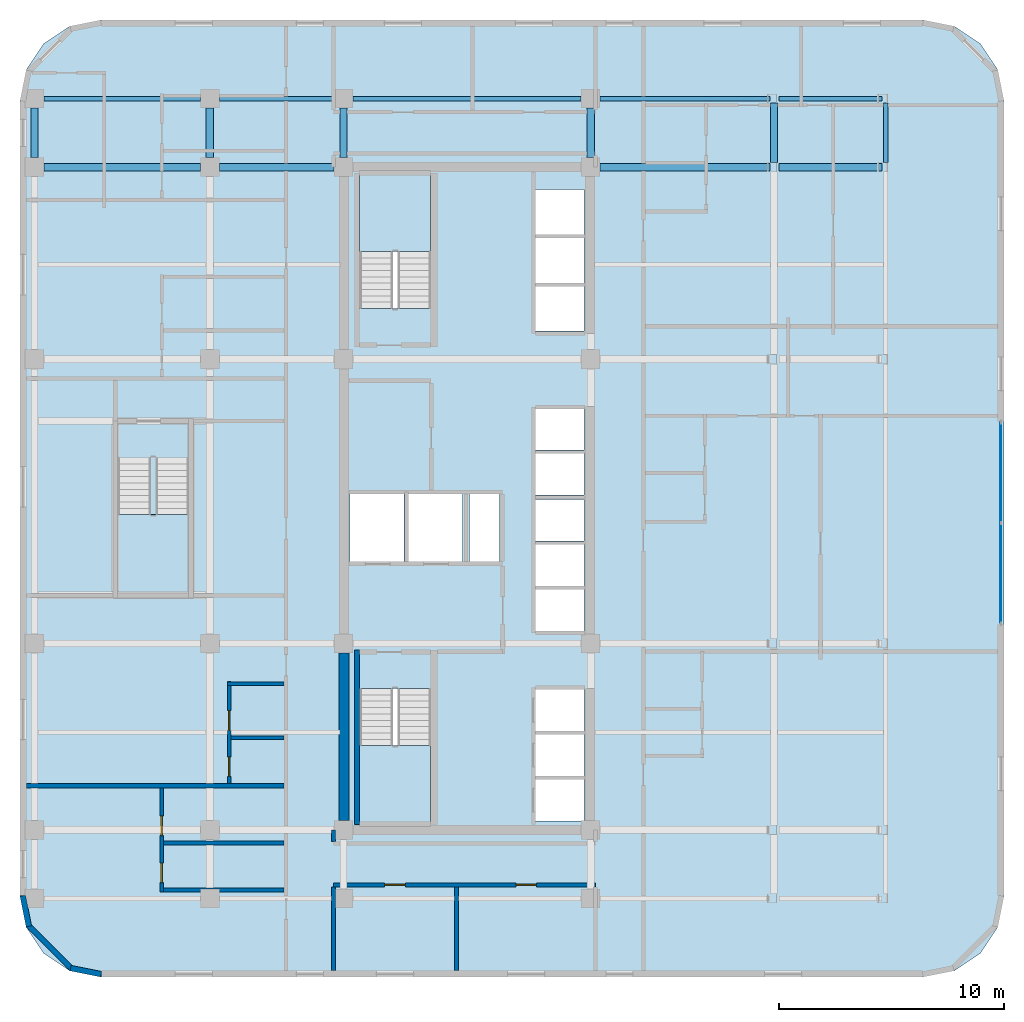
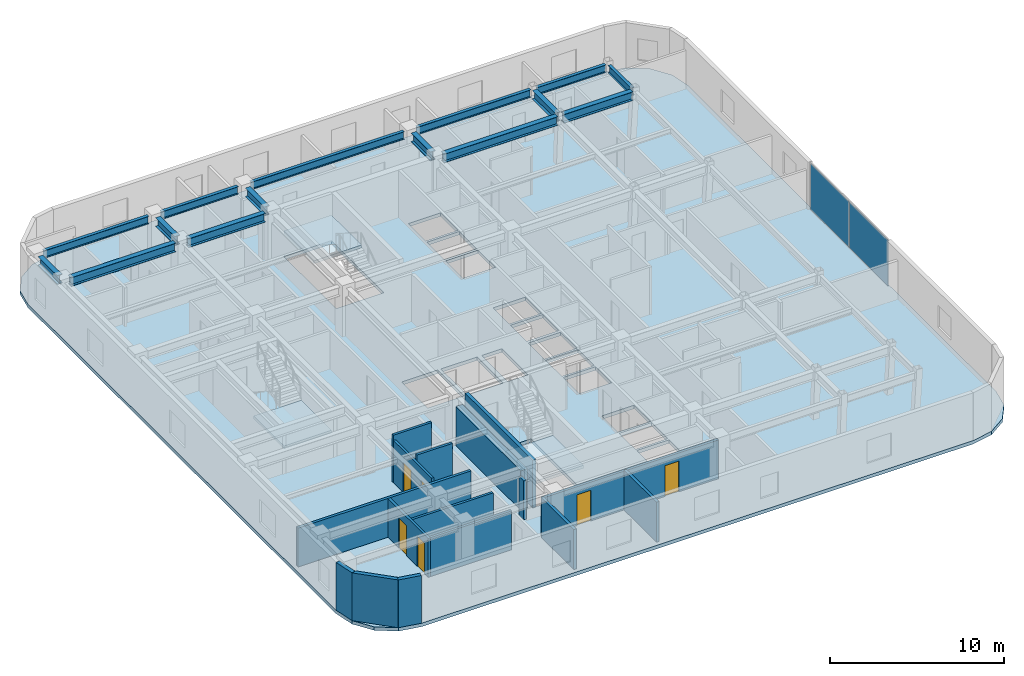
# One storey, part 3 of 9: 16 walls, 15 beams, 6 doors, 4 slabs, 2 plates, 6 openings, 4 elements without a shape of their own.
"""IFC4 building model written with IfcOpenShell, lengths in metres."""

from ifc_helpers import new_model, si_unit, direction, frame, frame_2d, origin, origin_2d, place, context, subcontext, project, spatial, polyline, rectangle, i_section, outline, extrude, material, layer, layer_set, material_profile, profile_set, type_object, element, fill, aggregate, save


model = new_model("IFC4")

# Units and contexts
model_context = context("Model", 3, precision=1e-05, world=origin(), true_north=direction((0.0, 1.0)))
body_context = subcontext(model_context, "Body", "Model", "MODEL_VIEW")
ifc_project = project(units=[si_unit("LENGTHUNIT", "METRE"), si_unit("AREAUNIT", "SQUARE_METRE"), si_unit("VOLUMEUNIT", "CUBIC_METRE"), si_unit("PLANEANGLEUNIT", "RADIAN"), si_unit("MASSUNIT", "GRAM", prefix="KILO")], contexts=[model_context])

# Site, building, storey
site_placement = place(None, origin())
site = spatial("IfcSite", under=ifc_project, at=site_placement, CompositionType="ELEMENT")
building_placement = place(site_placement, origin())
building = spatial("IfcBuilding", under=site, at=building_placement, Name="Ochreholt Gables", CompositionType="ELEMENT")
storey_placement = place(building_placement, frame((0.0, 0.0, 94.800048828125)))
storey = spatial("IfcBuildingStorey", under=building, at=storey_placement, Name="L24", CompositionType="ELEMENT", Elevation=94.800048828125)

# Beams
ifc_material_1 = material(Name="Steel CSA G40.21 350W", Category="steel")
ifc_material_profile_1 = material_profile(ifc_material_1, i_section(OverallWidth=0.323974609375, OverallDepth=0.611083984375, WebThickness=0.0126953125, FlangeThickness=0.01904296875, at=origin_2d()), Name="W610X155")
ifc_profile_set_1 = profile_set([ifc_material_profile_1], Name="Steel CSA G40.21 350W")
beam_type_1 = type_object("IfcBeamType", Name="BM-G-W610A", PredefinedType="BEAM", material=ifc_profile_set_1)
beam_1_placement = place(storey_placement, frame((10.87451171875, 38.75, 3.04443359375), z_axis=(1.0, 0.0, 0.0), x_axis=(0.0, 1.0, 0.0)))
element("IfcBeam", 1, at=beam_1_placement, inside=storey, type_object=beam_type_1, Name="L24 Beam TBG-L24-W2W3-Y5", PredefinedType="BEAM", context=body_context, shape_type="SweptSolid", body=[
    extrude(i_section(OverallWidth=0.323974609375, OverallDepth=0.611083984375, WebThickness=0.0126953125, FlangeThickness=0.01904296875, at=origin_2d()), origin(), (0.0, 0.0, 1.0), 6.950927734375),
])
beam_2_placement = place(storey_placement, frame((18.674560546875, 38.75, 3.04443359375), z_axis=(1.0, 0.0, 0.0), x_axis=(0.0, 1.0, 0.0)))
element("IfcBeam", 2, at=beam_2_placement, inside=storey, type_object=beam_type_1, Name="L24 Beam TBG-L24-W3C1-Y5", PredefinedType="BEAM", context=body_context, shape_type="SweptSolid", body=[
    extrude(i_section(OverallWidth=0.323974609375, OverallDepth=0.611083984375, WebThickness=0.0126953125, FlangeThickness=0.01904296875, at=origin_2d()), origin(), (0.0, 0.0, 1.0), 5.100830078125),
])
beam_3_placement = place(storey_placement, frame((35.62451171875, 38.75, 3.04443359375), z_axis=(1.0, 0.0, 0.0), x_axis=(0.0, 1.0, 0.0)))
element("IfcBeam", 3, at=beam_3_placement, inside=storey, type_object=beam_type_1, Name="L24 Beam TBG-L24-C2EM-Y5", PredefinedType="BEAM", context=body_context, shape_type="SweptSolid", body=[
    extrude(i_section(OverallWidth=0.323974609375, OverallDepth=0.611083984375, WebThickness=0.0126953125, FlangeThickness=0.01904296875, at=origin_2d()), origin(), (0.0, 0.0, 1.0), 7.552978515625),
])
beam_4_placement = place(storey_placement, frame((43.58251953125, 38.75, 3.04443359375), z_axis=(1.0, 0.0, 0.0), x_axis=(0.0, 1.0, 0.0)))
element("IfcBeam", 4, at=beam_4_placement, inside=storey, type_object=beam_type_1, Name="L24 Beam TBG-L24-EMEE-Y5", PredefinedType="BEAM", context=body_context, shape_type="SweptSolid", body=[
    extrude(i_section(OverallWidth=0.323974609375, OverallDepth=0.611083984375, WebThickness=0.0126953125, FlangeThickness=0.01904296875, at=origin_2d()), origin(), (0.0, 0.0, 1.0), 4.578857421875),
])
for number, where, z_axis, x_axis, name in (
    (5, (10.449951171875, 39.174560546875, 3.04443359375), (0.0, 1.0, 0.0), (-1.0, 0.0, 0.0), "L24 Beam TBN-L24-W2-Y5Y6"),
    (6, (18.25, 39.174560546875, 3.04443359375), (0.0, 1.0, 0.0), (-1.0, 0.0, 0.0), "L24 Beam TBN-L24-W3-Y5Y6"),
    (7, (24.199951171875, 39.174560546875, 3.04443359375), (0.0, 1.0, 0.0), (-1.0, 0.0, 0.0), "L24 Beam TBN-L24-C1-Y5Y6"),
    (8, (35.199951171875, 39.174560546875, 3.04443359375), (0.0, 1.0, 0.0), (-1.0, 0.0, 0.0), "L24 Beam TBN-L24-C2-Y5Y6"),
):
    element("IfcBeam", number, at=place(storey_placement, frame(where, z_axis=z_axis, x_axis=x_axis)), inside=storey, type_object=beam_type_1, Name=name, PredefinedType="BEAM", context=body_context, shape_type="SweptSolid", body=[
        extrude(i_section(OverallWidth=0.323974609375, OverallDepth=0.611083984375, WebThickness=0.0126953125, FlangeThickness=0.01904296875, at=origin_2d()), origin(), (0.0, 0.0, 1.0), 2.200927734375),
    ])
beam_5_placement = place(storey_placement, frame((43.362548828125, 38.95263671875, 3.04443359375), z_axis=(0.0, 1.0, 0.0), x_axis=(-1.0, 0.0, 0.0)))
element("IfcBeam", 9, at=beam_5_placement, inside=storey, type_object=beam_type_1, Name="L24 Beam TBN-L24-EM-Y5Y6", PredefinedType="BEAM", context=body_context, shape_type="SweptSolid", body=[
    extrude(i_section(OverallWidth=0.323974609375, OverallDepth=0.611083984375, WebThickness=0.0126953125, FlangeThickness=0.01904296875, at=origin_2d()), origin(), (0.0, 0.0, 1.0), 2.644775390625),
])
ifc_material_profile_2 = material_profile(ifc_material_1, i_section(OverallWidth=0.208984375, OverallDepth=0.532958984375, WebThickness=0.01025390625, FlangeThickness=0.015625, at=origin_2d()), Name="W530X92")
ifc_profile_set_2 = profile_set([ifc_material_profile_2], Name="Steel CSA G40.21 350W")
beam_type_2 = type_object("IfcBeamType", Name="BM-SP-W530B", PredefinedType="SPANDREL", material=ifc_profile_set_2)
beam_6_placement = place(storey_placement, frame((10.87451171875, 41.800048828125, 3.08349609375), z_axis=(1.0, 0.0, 0.0), x_axis=(0.0, 1.0, 0.0)))
element("IfcBeam", 10, at=beam_6_placement, inside=storey, type_object=beam_type_2, Name="L24 Beam TBG-L24-W2W3-Y6", PredefinedType="SPANDREL", context=body_context, shape_type="SweptSolid", body=[
    extrude(i_section(OverallWidth=0.208984375, OverallDepth=0.532958984375, WebThickness=0.01025390625, FlangeThickness=0.015625, at=origin_2d()), origin(), (0.0, 0.0, 1.0), 6.950927734375),
])
beam_7_placement = place(storey_placement, frame((18.674560546875, 41.800048828125, 3.08349609375), z_axis=(1.0, 0.0, 0.0), x_axis=(0.0, 1.0, 0.0)))
element("IfcBeam", 11, at=beam_7_placement, inside=storey, type_object=beam_type_2, Name="L24 Beam TBG-L24-W3C1-Y6", PredefinedType="SPANDREL", context=body_context, shape_type="SweptSolid", body=[
    extrude(i_section(OverallWidth=0.208984375, OverallDepth=0.532958984375, WebThickness=0.01025390625, FlangeThickness=0.015625, at=origin_2d()), origin(), (0.0, 0.0, 1.0), 5.100830078125),
])
beam_8_placement = place(storey_placement, frame((24.62451171875, 41.800048828125, 3.08349609375), z_axis=(1.0, 0.0, 0.0), x_axis=(0.0, 1.0, 0.0)))
element("IfcBeam", 12, at=beam_8_placement, inside=storey, type_object=beam_type_2, Name="L24 Beam TBG-L24-C1C2-Y6", PredefinedType="SPANDREL", context=body_context, shape_type="SweptSolid", body=[
    extrude(i_section(OverallWidth=0.208984375, OverallDepth=0.532958984375, WebThickness=0.01025390625, FlangeThickness=0.015625, at=origin_2d()), origin(), (0.0, 0.0, 1.0), 10.15087890625),
])
beam_9_placement = place(storey_placement, frame((35.62451171875, 41.800048828125, 3.08349609375), z_axis=(1.0, 0.0, 0.0), x_axis=(0.0, 1.0, 0.0)))
element("IfcBeam", 13, at=beam_9_placement, inside=storey, type_object=beam_type_2, Name="L24 Beam TBG-L24-C2EM-Y6", PredefinedType="SPANDREL", context=body_context, shape_type="SweptSolid", body=[
    extrude(i_section(OverallWidth=0.208984375, OverallDepth=0.532958984375, WebThickness=0.01025390625, FlangeThickness=0.015625, at=origin_2d()), origin(), (0.0, 0.0, 1.0), 7.552978515625),
])
beam_10_placement = place(storey_placement, frame((43.58251953125, 41.800048828125, 3.08349609375), z_axis=(1.0, 0.0, 0.0), x_axis=(0.0, 1.0, 0.0)))
element("IfcBeam", 14, at=beam_10_placement, inside=storey, type_object=beam_type_2, Name="L24 Beam TBG-L24-EMEE-Y6", PredefinedType="SPANDREL", context=body_context, shape_type="SweptSolid", body=[
    extrude(i_section(OverallWidth=0.208984375, OverallDepth=0.532958984375, WebThickness=0.01025390625, FlangeThickness=0.015625, at=origin_2d()), origin(), (0.0, 0.0, 1.0), 4.578857421875),
])
beam_11_placement = place(storey_placement, frame((48.3349609375, 38.95263671875, 3.08349609375), z_axis=(0.0, 1.0, 0.0), x_axis=(-1.0, 0.0, 0.0)))
element("IfcBeam", 15, at=beam_11_placement, inside=storey, type_object=beam_type_2, Name="L24 Beam TBN-L24-EE-Y5Y6", PredefinedType="SPANDREL", context=body_context, shape_type="SweptSolid", body=[
    extrude(i_section(OverallWidth=0.208984375, OverallDepth=0.532958984375, WebThickness=0.01025390625, FlangeThickness=0.015625, at=origin_2d()), origin(), (0.0, 0.0, 1.0), 2.644775390625),
])

# Curtain wall, plates
ifc_material_2 = material(Name="Unitised Aluminium and Triple Glazing", Category="aluminium")
ifc_layer_1 = layer(ifc_material_2, 0.18994140625, Name="Unitised Aluminium and Triple Glazing")
ifc_layer_set_1 = layer_set([ifc_layer_1], Name="Unitised Aluminium and Triple Glazing")
curtain_wall_type = type_object("IfcCurtainWallType", Name="CW-SYS3", PredefinedType="NOTDEFINED", material=ifc_layer_set_1)
curtain_wall_placement = place(storey_placement, origin())
curtain_wall = element("IfcCurtainWall", 16, at=curtain_wall_placement, inside=storey, type_object=curtain_wall_type, Name="L24 East Unitised Curtain Wall", PredefinedType="NOTDEFINED")
ifc_material_3 = material(Name="Triple Low-E Insulating Glass", Category="glass")
ifc_layer_2 = layer(ifc_material_3, 0.033935546875, Name="Triple Low-E Insulating Glass")
ifc_layer_set_2 = layer_set([ifc_layer_2], Name="Triple Low-E Insulating Glass")
plate_type = type_object("IfcPlateType", Name="CW-PNL-34", PredefinedType="CURTAIN_PANEL", material=ifc_layer_set_2)
plate_1_placement = place(storey_placement, frame((53.4599609375, 20.67333984375, 0.0751953125), z_axis=(0.0, 0.0, 1.0), x_axis=(0.0, 1.0, 0.0)))
plate_1 = element("IfcPlate", 17, at=plate_1_placement, type_object=plate_type, Name="CW-3 panel 1.1", PredefinedType="CURTAIN_PANEL", context=body_context, shape_type="SweptSolid", body=[
    extrude(rectangle(XDim=4.41650390625, YDim=0.033935546875, at=origin_2d()), origin(), (0.0, 0.0, 1.0), 3.199951171875),
])
plate_2_placement = place(storey_placement, frame((53.4599609375, 25.15478515625, 0.0751953125), z_axis=(0.0, 0.0, 1.0), x_axis=(0.0, 1.0, 0.0)))
plate_2 = element("IfcPlate", 18, at=plate_2_placement, type_object=plate_type, Name="CW-3 panel 2.1", PredefinedType="CURTAIN_PANEL", context=body_context, shape_type="SweptSolid", body=[
    extrude(rectangle(XDim=4.41650390625, YDim=0.033935546875, at=origin_2d()), origin(), (0.0, 0.0, 1.0), 3.199951171875),
])
aggregate(curtain_wall, [plate_1, plate_2])

# Stair, slab
ifc_material_4 = material(Name="Concrete 40 MPa", Category="concrete")
stair_type_1 = type_object("IfcStairType", Name="STAIR-CORE-ST-1", PredefinedType="HALF_TURN_STAIR", material=ifc_material_4)
stair_1_placement = place(storey_placement, origin())
stair_1 = element("IfcStair", 19, at=stair_1_placement, inside=storey, type_object=stair_type_1, Name="L24 Core Exit Stair 1", PredefinedType="HALF_TURN_STAIR")
ifc_layer_3 = layer(ifc_material_4, 0.199951171875, Name="Concrete 40 MPa")
ifc_layer_set_3 = layer_set([ifc_layer_3], Name="Concrete 40 MPa")
slab_type_1 = type_object("IfcSlabType", Name="LANDING-RC200", PredefinedType="LANDING", material=ifc_layer_set_3)
slab_1_placement = place(storey_placement, frame((0.0, 0.0, 1.599853515625)))
slab_1 = element("IfcSlab", 20, at=slab_1_placement, type_object=slab_type_1, Name="ST-1 landing 1", PredefinedType="LANDING", context=body_context, shape_type="SweptSolid", body=[
    extrude(outline(polyline([(24.919921875, 13.001953125), (24.919921875, 9.52001953125), (28.080078125, 9.52001953125), (28.080078125, 13.001953125), (24.919921875, 13.001953125)])), origin(), (0.0, 0.0, 1.0), 0.2001953125),
])
aggregate(stair_1, [slab_1])

stair_type_2 = type_object("IfcStairType", Name="STAIR-CORE-ST-2", PredefinedType="HALF_TURN_STAIR", material=ifc_material_4)
stair_2_placement = place(storey_placement, origin())
stair_2 = element("IfcStair", 21, at=stair_2_placement, inside=storey, type_object=stair_type_2, Name="L24 Core Exit Stair 2", PredefinedType="HALF_TURN_STAIR")
slab_2_placement = place(storey_placement, frame((0.0, 0.0, 1.599853515625)))
slab_2 = element("IfcSlab", 22, at=slab_2_placement, type_object=slab_type_1, Name="ST-2 landing 1", PredefinedType="LANDING", context=body_context, shape_type="SweptSolid", body=[
    extrude(outline(polyline([(28.080078125, 34.998046875), (28.080078125, 38.47998046875), (24.919921875, 38.47998046875), (24.919921875, 34.998046875), (28.080078125, 34.998046875)])), origin(), (0.0, 0.0, 1.0), 0.2001953125),
])
aggregate(stair_2, [slab_2])

stair_type_3 = type_object("IfcStairType", Name="STAIR-CORE-ST-C2", PredefinedType="HALF_TURN_STAIR", material=ifc_material_4)
stair_3_placement = place(storey_placement, origin())
stair_3 = element("IfcStair", 23, at=stair_3_placement, inside=storey, type_object=stair_type_3, Name="L24 Community Feature Stair ST-C2", PredefinedType="HALF_TURN_STAIR")
slab_3_placement = place(storey_placement, frame((0.0, 0.0, 1.599853515625)))
slab_3 = element("IfcSlab", 24, at=slab_3_placement, type_object=slab_type_1, Name="ST-C2 landing 1", PredefinedType="LANDING", context=body_context, shape_type="SweptSolid", body=[
    extrude(outline(polyline([(14.14990234375, 23.281982421875), (14.14990234375, 19.800048828125), (17.31005859375, 19.800048828125), (17.31005859375, 23.281982421875), (14.14990234375, 23.281982421875)])), origin(), (0.0, 0.0, 1.0), 0.2001953125),
])
aggregate(stair_3, [slab_3])

# Slab
ifc_layer_4 = layer(ifc_material_4, 0.239990234375, Name="Concrete 40 MPa")
ifc_layer_set_4 = layer_set([ifc_layer_4], Name="Concrete 40 MPa")
slab_type_2 = type_object("IfcSlabType", Name="SLAB-TWR-240", PredefinedType="FLOOR", material=ifc_layer_set_4)
slab_4_placement = place(storey_placement, frame((0.0, 0.0, -0.239990234375)))
element("IfcSlab", 25, at=slab_4_placement, inside=storey, type_object=slab_type_2, Name="L24 Structural Floor Slab", PredefinedType="FLOOR", context=body_context, shape_type="SweptSolid", body=[
    extrude(outline(polyline([(9.800048828125, 6.300048828125), (10.073974609375, 4.92236328125), (10.8544921875, 3.75439453125), (12.022216796875, 2.97412109375), (13.39990234375, 2.699951171875), (50.0, 2.699951171875), (51.377685546875, 2.97412109375), (52.545654296875, 3.75439453125), (53.325927734375, 4.92236328125), (53.60009765625, 6.300048828125), (53.60009765625, 41.699951171875), (53.325927734375, 43.07763671875), (52.545654296875, 44.24560546875), (51.377685546875, 45.02587890625), (50.0, 45.300048828125), (13.39990234375, 45.300048828125), (12.022216796875, 45.02587890625), (10.8544921875, 44.24560546875), (10.073974609375, 43.07763671875), (9.800048828125, 41.699951171875), (9.800048828125, 6.300048828125)]), holes=[polyline([(24.919921875, 15.539306640625), (24.919921875, 9.52001953125), (28.080078125, 9.52001953125), (28.080078125, 15.539306640625), (24.919921875, 15.539306640625)]), polyline([(28.080078125, 32.460693359375), (28.080078125, 38.47998046875), (24.919921875, 38.47998046875), (24.919921875, 32.460693359375), (28.080078125, 32.460693359375)]), polyline([(24.5, 21.199951171875), (26.89990234375, 21.199951171875), (26.89990234375, 24.199951171875), (24.5, 24.199951171875), (24.5, 21.199951171875)]), polyline([(27.10009765625, 21.199951171875), (29.5, 21.199951171875), (29.5, 24.199951171875), (27.10009765625, 24.199951171875), (27.10009765625, 21.199951171875)]), polyline([(32.75, 9.64990234375), (34.89990234375, 9.64990234375), (34.89990234375, 11.5), (32.75, 11.5), (32.75, 9.64990234375)]), polyline([(32.75, 11.64990234375), (34.89990234375, 11.64990234375), (34.89990234375, 13.5), (32.75, 13.5), (32.75, 11.64990234375)]), polyline([(32.75, 13.64990234375), (34.89990234375, 13.64990234375), (34.89990234375, 15.5), (32.75, 15.5), (32.75, 13.64990234375)]), polyline([(32.75, 18.10009765625), (34.89990234375, 18.10009765625), (34.89990234375, 19.949951171875), (32.75, 19.949951171875), (32.75, 18.10009765625)]), polyline([(32.75, 20.10009765625), (34.89990234375, 20.10009765625), (34.89990234375, 21.949951171875), (32.75, 21.949951171875), (32.75, 20.10009765625)]), polyline([(32.75, 22.10009765625), (34.89990234375, 22.10009765625), (34.89990234375, 23.949951171875), (32.75, 23.949951171875), (32.75, 22.10009765625)]), polyline([(32.75, 24.14990234375), (34.89990234375, 24.14990234375), (34.89990234375, 26.0), (32.75, 26.0), (32.75, 24.14990234375)]), polyline([(32.75, 26.14990234375), (34.89990234375, 26.14990234375), (34.89990234375, 28.0), (32.75, 28.0), (32.75, 26.14990234375)]), polyline([(32.75, 31.449951171875), (34.89990234375, 31.449951171875), (34.89990234375, 33.449951171875), (32.75, 33.449951171875), (32.75, 31.449951171875)]), polyline([(32.75, 33.60009765625), (34.89990234375, 33.60009765625), (34.89990234375, 35.60009765625), (32.75, 35.60009765625), (32.75, 33.60009765625)]), polyline([(32.75, 35.75), (34.89990234375, 35.75), (34.89990234375, 37.75), (32.75, 37.75), (32.75, 35.75)]), polyline([(29.800048828125, 21.199951171875), (31.14990234375, 21.199951171875), (31.14990234375, 24.199951171875), (29.800048828125, 24.199951171875), (29.800048828125, 21.199951171875)])]), origin(), (0.0, 0.0, 1.0), 0.239990234375),
])

# Walls
ifc_material_5 = material(Name="Concrete 60 MPa", Category="concrete")
ifc_layer_5 = layer(ifc_material_5, 0.449951171875, Name="Concrete 60 MPa")
ifc_layer_set_5 = layer_set([ifc_layer_5], Name="Concrete 60 MPa")
wall_type_1 = type_object("IfcWallType", Name="WALL-CSW-450", PredefinedType="SHEAR", material=ifc_layer_set_5)
wall_1_placement = place(storey_placement, frame((24.22509765625, 9.675048828125, 0.0), z_axis=(0.0, 0.0, 1.0), x_axis=(0.0, 1.0, 0.0)))
element("IfcWall", 26, at=wall_1_placement, inside=storey, type_object=wall_type_1, Name="L24 Core West Shear Wall WS", PredefinedType="SHEAR", context=body_context, shape_type="SweptSolid", body=[
    extrude(rectangle(XDim=7.449951171875, YDim=0.449951171875, at=frame_2d((3.72509765625, 0.0))), origin(), (0.0, 0.0, 1.0), 2.739013671875),
])
ifc_material_6 = material(Name="Precast concrete 40 MPa", Category="concrete")
ifc_layer_6 = layer(ifc_material_6, 0.25, Name="Precast concrete 40 MPa")
ifc_layer_set_6 = layer_set([ifc_layer_6], Name="Precast concrete 40 MPa")
wall_type_2 = type_object("IfcWallType", Name="WALL-EXT-CNR", PredefinedType="SOLIDWALL", material=ifc_layer_set_6)
wall_2_placement = place(storey_placement, frame((9.92431640625, 6.31640625, 0.0), z_axis=(0.0, 0.0, 1.0), x_axis=(0.195000137217, -0.980803214965, 0.0)))
element("IfcWall", 27, at=wall_2_placement, inside=storey, type_object=wall_type_2, Name="L24 Rounded Corner Wall SW-1", PredefinedType="SOLIDWALL", context=body_context, shape_type="SweptSolid", body=[
    extrude(rectangle(XDim=1.388427734375, YDim=0.25, at=frame_2d((0.6943359375, 0.0))), origin(), (0.0, 0.0, 1.0), 3.349853515625),
])
wall_3_placement = place(storey_placement, frame((10.16796875, 5.0048828125, 0.0), z_axis=(0.0, 0.0, 1.0), x_axis=(0.707151344399, -0.707062215165, 0.0)))
element("IfcWall", 28, at=wall_3_placement, inside=storey, type_object=wall_type_2, Name="L24 Rounded Corner Wall SW-2", PredefinedType="SOLIDWALL", context=body_context, shape_type="SweptSolid", body=[
    extrude(rectangle(XDim=2.7392578125, YDim=0.25, at=frame_2d((1.36962890625, 0.0))), origin(), (0.0, 0.0, 1.0), 3.349853515625),
])
wall_4_placement = place(storey_placement, frame((12.054443359375, 3.094970703125, 0.0), z_axis=(0.0, 0.0, 1.0), x_axis=(0.980809899341, -0.19496651342, 0.0)))
element("IfcWall", 29, at=wall_4_placement, inside=storey, type_object=wall_type_2, Name="L24 Rounded Corner Wall SW-3", PredefinedType="SOLIDWALL", context=body_context, shape_type="SweptSolid", body=[
    extrude(rectangle(XDim=1.388671875, YDim=0.25, at=frame_2d((0.6943359375, 0.0))), origin(), (0.0, 0.0, 1.0), 3.349853515625),
])

# Wall, openings, doors
ifc_material_7 = material(Name="Fire-Rated Gypsum Acoustic Partition", Category="gypsum")
ifc_layer_7 = layer(ifc_material_7, 0.179931640625, Name="Fire-Rated Gypsum Acoustic Partition")
ifc_layer_set_7 = layer_set([ifc_layer_7], Name="Fire-Rated Gypsum Acoustic Partition")
wall_type_3 = type_object("IfcWallType", Name="WALL-INT-CR180", PredefinedType="STANDARD", material=ifc_layer_set_7)
wall_5_placement = place(storey_placement, frame((23.75, 6.800048828125, 0.0), z_axis=(0.0, 0.0, 1.0), x_axis=(1.0, 0.0, 0.0)))
wall_5 = element("IfcWall", 30, at=wall_5_placement, inside=storey, type_object=wall_type_3, Name="L24 Interior Wall WI-C1S-L24", PredefinedType="STANDARD", context=body_context, shape_type="SweptSolid", body=[
    extrude(rectangle(XDim=11.669921875, YDim=0.179931640625, at=frame_2d((5.8349609375, 0.0))), origin(), (0.0, 0.0, 1.0), 2.720947265625),
])
opening_1_placement = place(wall_5_placement, frame((2.282470703125, 0.0, 0.0)))
opening_1 = element("IfcOpeningElement", 31, at=opening_1_placement, cuts=wall_5, Name="Opening D-UN1", PredefinedType="OPENING", context=body_context, shape_type="SweptSolid", body=[
    extrude(rectangle(XDim=0.919921875, YDim=2.14990234375, at=frame_2d((0.4599609375, 1.074951171875))), frame((0.0, 0.099853515625, 0.0), z_axis=(0.0, -1.0, 0.0), x_axis=(1.0, 0.0, 0.0)), (0.0, 0.0, 1.0), 0.199951171875),
])
opening_2_placement = place(wall_5_placement, frame((8.117431640625, 0.0, 0.0)))
opening_2 = element("IfcOpeningElement", 32, at=opening_2_placement, cuts=wall_5, Name="Opening D-UN1", PredefinedType="OPENING", context=body_context, shape_type="SweptSolid", body=[
    extrude(rectangle(XDim=0.919921875, YDim=2.14990234375, at=frame_2d((0.4599609375, 1.074951171875))), frame((0.0, 0.099853515625, 0.0), z_axis=(0.0, -1.0, 0.0), x_axis=(1.0, 0.0, 0.0)), (0.0, 0.0, 1.0), 0.199951171875),
])
ifc_material_8 = material(Name="Engineered Oak Timber", Category="wood")
door_type_1 = type_object("IfcDoorType", Name="DR-INT-UNT920", OperationType="NOTDEFINED", PredefinedType="DOOR", material=ifc_material_8)
door_1_placement = place(opening_1_placement, origin())
door_1 = element("IfcDoor", 33, at=door_1_placement, inside=storey, type_object=door_type_1, Name="L24 Door D-U-L24S1-ENT", OperationType="SINGLE_SWING_RIGHT", OverallHeight=2.14990234375, OverallWidth=0.919921875, PredefinedType="DOOR", context=body_context, shape_type="SweptSolid", body=[
    extrude(rectangle(XDim=0.919921875, YDim=2.14990234375, at=frame_2d((0.4599609375, 1.074951171875))), frame((0.0, 0.02490234375, 0.0), z_axis=(0.0, -1.0, 0.0), x_axis=(1.0, 0.0, 0.0)), (0.0, 0.0, 1.0), 0.050048828125),
])
fill(opening_1, door_1)
door_2_placement = place(opening_2_placement, origin())
door_2 = element("IfcDoor", 34, at=door_2_placement, inside=storey, type_object=door_type_1, Name="L24 Door D-U-L24S2-ENT", OperationType="SINGLE_SWING_RIGHT", OverallHeight=2.14990234375, OverallWidth=0.919921875, PredefinedType="DOOR", context=body_context, shape_type="SweptSolid", body=[
    extrude(rectangle(XDim=0.919921875, YDim=2.14990234375, at=frame_2d((0.4599609375, 1.074951171875))), frame((0.0, 0.02490234375, 0.0), z_axis=(0.0, -1.0, 0.0), x_axis=(1.0, 0.0, 0.0)), (0.0, 0.0, 1.0), 0.050048828125),
])
fill(opening_2, door_2)

# Walls
wall_6_placement = place(storey_placement, frame((23.75, 8.739990234375, 0.0), z_axis=(0.0, 0.0, 1.0), x_axis=(0.0, 1.0, 0.0)))
element("IfcWall", 35, at=wall_6_placement, inside=storey, type_object=wall_type_3, Name="L24 Interior Wall WI-C1SWA2-L24", PredefinedType="STANDARD", context=body_context, shape_type="SweptSolid", body=[
    extrude(rectangle(XDim=0.510009765625, YDim=0.179931640625, at=frame_2d((0.2548828125, 0.0))), origin(), (0.0, 0.0, 1.0), 2.720947265625),
])
ifc_material_9 = material(Name="Double-Stud Acoustic Demising Wall", Category="gypsum")
ifc_layer_8 = layer(ifc_material_9, 0.179931640625, Name="Double-Stud Acoustic Demising Wall")
ifc_layer_set_8 = layer_set([ifc_layer_8], Name="Double-Stud Acoustic Demising Wall")
wall_type_4 = type_object("IfcWallType", Name="WALL-INT-DM180", PredefinedType="PARTITIONING", material=ifc_layer_set_8)
wall_7_placement = place(storey_placement, frame((10.080078125, 11.215087890625, 0.0), z_axis=(0.0, 0.0, 1.0), x_axis=(1.0, 0.0, 0.0)))
element("IfcWall", 36, at=wall_7_placement, inside=storey, type_object=wall_type_4, Name="L24 Interior Wall WI-UDWS1-L24", PredefinedType="PARTITIONING", context=body_context, shape_type="SweptSolid", body=[
    extrude(rectangle(XDim=11.47998046875, YDim=0.179931640625, at=frame_2d((5.739990234375, 0.0))), origin(), (0.0, 0.0, 1.0), 2.720947265625),
])
for number, where, z_axis, x_axis, name in (
    (37, (23.75, 2.97998046875, 0.0), (0.0, 0.0, 1.0), (0.0, 1.0, 0.0), "L24 Interior Wall WI-C1SWA-L24"),
    (38, (29.23486328125, 2.97998046875, 0.0), (0.0, 0.0, 1.0), (0.0, 1.0, 0.0), "L24 Interior Wall WI-UDS-L24"),
):
    element("IfcWall", number, at=place(storey_placement, frame(where, z_axis=z_axis, x_axis=x_axis)), inside=storey, type_object=wall_type_4, Name=name, PredefinedType="PARTITIONING", context=body_context, shape_type="SweptSolid", body=[
        extrude(rectangle(XDim=3.72998046875, YDim=0.179931640625, at=frame_2d((1.864990234375, 0.0))), origin(), (0.0, 0.0, 1.0), 2.799072265625),
    ])
ifc_material_10 = material(Name="Moisture-Resistant Plumbing Chase Wall", Category="gypsum")
ifc_layer_9 = layer(ifc_material_10, 0.159912109375, Name="Moisture-Resistant Plumbing Chase Wall")
ifc_layer_set_9 = layer_set([ifc_layer_9], Name="Moisture-Resistant Plumbing Chase Wall")
wall_type_5 = type_object("IfcWallType", Name="WALL-INT-PL160", PredefinedType="PLUMBINGWALL", material=ifc_layer_set_9)
wall_8_placement = place(storey_placement, frame((16.030029296875, 6.574951171875, 0.0), z_axis=(0.0, 0.0, 1.0), x_axis=(1.0, 0.0, 0.0)))
element("IfcWall", 39, at=wall_8_placement, inside=storey, type_object=wall_type_5, Name="L24 Interior Wall WU-L24W1-WYS", PredefinedType="PLUMBINGWALL", context=body_context, shape_type="SweptSolid", body=[
    extrude(rectangle(XDim=5.530029296875, YDim=0.159912109375, at=frame_2d((2.76513671875, 0.0))), origin(), (0.0, 0.0, 1.0), 2.720947265625),
])

# Wall, openings, doors
wall_9_placement = place(storey_placement, frame((16.110107421875, 6.485107421875, 0.0), z_axis=(0.0, 0.0, 1.0), x_axis=(0.0, 1.0, 0.0)))
wall_9 = element("IfcWall", 40, at=wall_9_placement, inside=storey, type_object=wall_type_5, Name="L24 Interior Wall WU-L24W1-WX", PredefinedType="PLUMBINGWALL", context=body_context, shape_type="SweptSolid", body=[
    extrude(rectangle(XDim=4.639892578125, YDim=0.159912109375, at=frame_2d((2.31982421875, 0.0))), origin(), (0.0, 0.0, 1.0), 2.720947265625),
])
opening_3_placement = place(wall_9_placement, frame((0.419921875, 0.0, 0.0)))
opening_3 = element("IfcOpeningElement", 41, at=opening_3_placement, cuts=wall_9, Name="Opening D-BT1", PredefinedType="OPENING", context=body_context, shape_type="SweptSolid", body=[
    extrude(rectangle(XDim=0.860107421875, YDim=2.1201171875, at=frame_2d((0.43017578125, 1.06005859375))), frame((0.0, 0.08984375, 0.0), z_axis=(0.0, -1.0, 0.0), x_axis=(1.0, 0.0, 0.0)), (0.0, 0.0, 1.0), 0.179931640625),
])
opening_4_placement = place(wall_9_placement, frame((2.512939453125, 0.0, 0.0)))
opening_4 = element("IfcOpeningElement", 42, at=opening_4_placement, cuts=wall_9, Name="Opening D-GN2", PredefinedType="OPENING", context=body_context, shape_type="SweptSolid", body=[
    extrude(rectangle(XDim=0.8798828125, YDim=2.1201171875, at=frame_2d((0.43994140625, 1.06005859375))), frame((0.0, 0.08984375, 0.0), z_axis=(0.0, -1.0, 0.0), x_axis=(1.0, 0.0, 0.0)), (0.0, 0.0, 1.0), 0.179931640625),
])
door_type_2 = type_object("IfcDoorType", Name="DR-INT-BTH860", OperationType="NOTDEFINED", PredefinedType="DOOR", material=ifc_material_8)
door_3_placement = place(opening_3_placement, origin())
door_3 = element("IfcDoor", 43, at=door_3_placement, inside=storey, type_object=door_type_2, Name="L24 Door D-U-L24W1-BTH", OperationType="SINGLE_SWING_RIGHT", OverallHeight=2.1201171875, OverallWidth=0.860107421875, PredefinedType="DOOR", context=body_context, shape_type="SweptSolid", body=[
    extrude(rectangle(XDim=0.860107421875, YDim=2.1201171875, at=frame_2d((0.43017578125, 1.06005859375))), frame((0.0, 0.02490234375, 0.0), z_axis=(0.0, -1.0, 0.0), x_axis=(1.0, 0.0, 0.0)), (0.0, 0.0, 1.0), 0.050048828125),
])
fill(opening_3, door_3)
door_type_3 = type_object("IfcDoorType", Name="DR-INT-GEN880", OperationType="NOTDEFINED", PredefinedType="DOOR", material=ifc_material_8)
door_4_placement = place(opening_4_placement, origin())
door_4 = element("IfcDoor", 44, at=door_4_placement, inside=storey, type_object=door_type_3, Name="L24 Door D-U-L24W1-KIT", OperationType="SINGLE_SWING_LEFT", OverallHeight=2.1201171875, OverallWidth=0.8798828125, PredefinedType="DOOR", context=body_context, shape_type="SweptSolid", body=[
    extrude(rectangle(XDim=0.8798828125, YDim=2.1201171875, at=frame_2d((0.43994140625, 1.06005859375))), frame((0.0, 0.02490234375, 0.0), z_axis=(0.0, -1.0, 0.0), x_axis=(1.0, 0.0, 0.0)), (0.0, 0.0, 1.0), 0.050048828125),
])
fill(opening_4, door_4)

# Walls
wall_10_placement = place(storey_placement, frame((16.18994140625, 8.66796875, 0.0), z_axis=(0.0, 0.0, 1.0), x_axis=(1.0, 0.0, 0.0)))
element("IfcWall", 45, at=wall_10_placement, inside=storey, type_object=wall_type_5, Name="L24 Interior Wall WU-L24W1-WM", PredefinedType="PLUMBINGWALL", context=body_context, shape_type="SweptSolid", body=[
    extrude(rectangle(XDim=5.3701171875, YDim=0.159912109375, at=frame_2d((2.68505859375, 0.0))), origin(), (0.0, 0.0, 1.0), 2.720947265625),
])
wall_11_placement = place(storey_placement, frame((19.030029296875, 15.7548828125, 0.0), z_axis=(0.0, 0.0, 1.0), x_axis=(1.0, 0.0, 0.0)))
element("IfcWall", 46, at=wall_11_placement, inside=storey, type_object=wall_type_5, Name="L24 Interior Wall WU-L24W2-WYN", PredefinedType="PLUMBINGWALL", context=body_context, shape_type="SweptSolid", body=[
    extrude(rectangle(XDim=2.530029296875, YDim=0.159912109375, at=frame_2d((1.26513671875, 0.0))), origin(), (0.0, 0.0, 1.0), 3.349853515625),
])

# Wall, openings, doors
wall_12_placement = place(storey_placement, frame((19.110107421875, 11.304931640625, 0.0), z_axis=(0.0, 0.0, 1.0), x_axis=(0.0, 1.0, 0.0)))
wall_12 = element("IfcWall", 47, at=wall_12_placement, inside=storey, type_object=wall_type_5, Name="L24 Interior Wall WU-L24W2-WX", PredefinedType="PLUMBINGWALL", context=body_context, shape_type="SweptSolid", body=[
    extrude(rectangle(XDim=4.5400390625, YDim=0.159912109375, at=frame_2d((2.27001953125, 0.0))), origin(), (0.0, 0.0, 1.0), 2.97802734375),
])
opening_5_placement = place(wall_12_placement, frame((0.330078125, 0.0, 0.0)))
opening_5 = element("IfcOpeningElement", 48, at=opening_5_placement, cuts=wall_12, Name="Opening D-BT1", PredefinedType="OPENING", context=body_context, shape_type="SweptSolid", body=[
    extrude(rectangle(XDim=0.860107421875, YDim=2.1201171875, at=frame_2d((0.43017578125, 1.06005859375))), frame((0.0, 0.08984375, 0.0), z_axis=(0.0, -1.0, 0.0), x_axis=(1.0, 0.0, 0.0)), (0.0, 0.0, 1.0), 0.179931640625),
])
opening_6_placement = place(wall_12_placement, frame((2.376953125, 0.0, 0.0)))
opening_6 = element("IfcOpeningElement", 49, at=opening_6_placement, cuts=wall_12, Name="Opening D-GN2", PredefinedType="OPENING", context=body_context, shape_type="SweptSolid", body=[
    extrude(rectangle(XDim=0.8798828125, YDim=2.1201171875, at=frame_2d((0.43994140625, 1.06005859375))), frame((0.0, 0.08984375, 0.0), z_axis=(0.0, -1.0, 0.0), x_axis=(1.0, 0.0, 0.0)), (0.0, 0.0, 1.0), 0.179931640625),
])
door_5_placement = place(opening_5_placement, origin())
door_5 = element("IfcDoor", 50, at=door_5_placement, inside=storey, type_object=door_type_2, Name="L24 Door D-U-L24W2-BTH", OperationType="SINGLE_SWING_LEFT", OverallHeight=2.1201171875, OverallWidth=0.860107421875, PredefinedType="DOOR", context=body_context, shape_type="SweptSolid", body=[
    extrude(rectangle(XDim=0.860107421875, YDim=2.1201171875, at=frame_2d((0.43017578125, 1.06005859375))), frame((0.0, 0.02490234375, 0.0), z_axis=(0.0, -1.0, 0.0), x_axis=(1.0, 0.0, 0.0)), (0.0, 0.0, 1.0), 0.050048828125),
])
fill(opening_5, door_5)
door_6_placement = place(opening_6_placement, origin())
door_6 = element("IfcDoor", 51, at=door_6_placement, inside=storey, type_object=door_type_3, Name="L24 Door D-U-L24W2-KIT", OperationType="SINGLE_SWING_RIGHT", OverallHeight=2.1201171875, OverallWidth=0.8798828125, PredefinedType="DOOR", context=body_context, shape_type="SweptSolid", body=[
    extrude(rectangle(XDim=0.8798828125, YDim=2.1201171875, at=frame_2d((0.43994140625, 1.06005859375))), frame((0.0, 0.02490234375, 0.0), z_axis=(0.0, -1.0, 0.0), x_axis=(1.0, 0.0, 0.0)), (0.0, 0.0, 1.0), 0.050048828125),
])
fill(opening_6, door_6)

# Walls
wall_13_placement = place(storey_placement, frame((19.18994140625, 13.35205078125, 0.0), z_axis=(0.0, 0.0, 1.0), x_axis=(1.0, 0.0, 0.0)))
element("IfcWall", 52, at=wall_13_placement, inside=storey, type_object=wall_type_5, Name="L24 Interior Wall WU-L24W2-WM", PredefinedType="PLUMBINGWALL", context=body_context, shape_type="SweptSolid", body=[
    extrude(rectangle(XDim=2.3701171875, YDim=0.159912109375, at=frame_2d((1.18505859375, 0.0))), origin(), (0.0, 0.0, 1.0), 3.349853515625),
])
ifc_material_11 = material(Name="Concrete 50 MPa", Category="concrete")
ifc_layer_10 = layer(ifc_material_11, 0.219970703125, Name="Concrete 50 MPa")
ifc_layer_set_10 = layer_set([ifc_layer_10], Name="Concrete 50 MPa")
wall_type_6 = type_object("IfcWallType", Name="WALL-STW-220", PredefinedType="SHEAR", material=ifc_layer_set_10)
wall_14_placement = place(storey_placement, frame((24.81005859375, 9.5, 0.0), z_axis=(0.0, 0.0, 1.0), x_axis=(0.0, 1.0, 0.0)))
element("IfcWall", 53, at=wall_14_placement, inside=storey, type_object=wall_type_6, Name="L24 Exit Stair 1 West Wall", PredefinedType="SHEAR", context=body_context, shape_type="SweptSolid", body=[
    extrude(rectangle(XDim=7.760009765625, YDim=0.219970703125, at=frame_2d((3.8798828125, 0.0))), origin(), (0.0, 0.0, 1.0), 3.349853515625),
])

save(model, "model.ifc")
